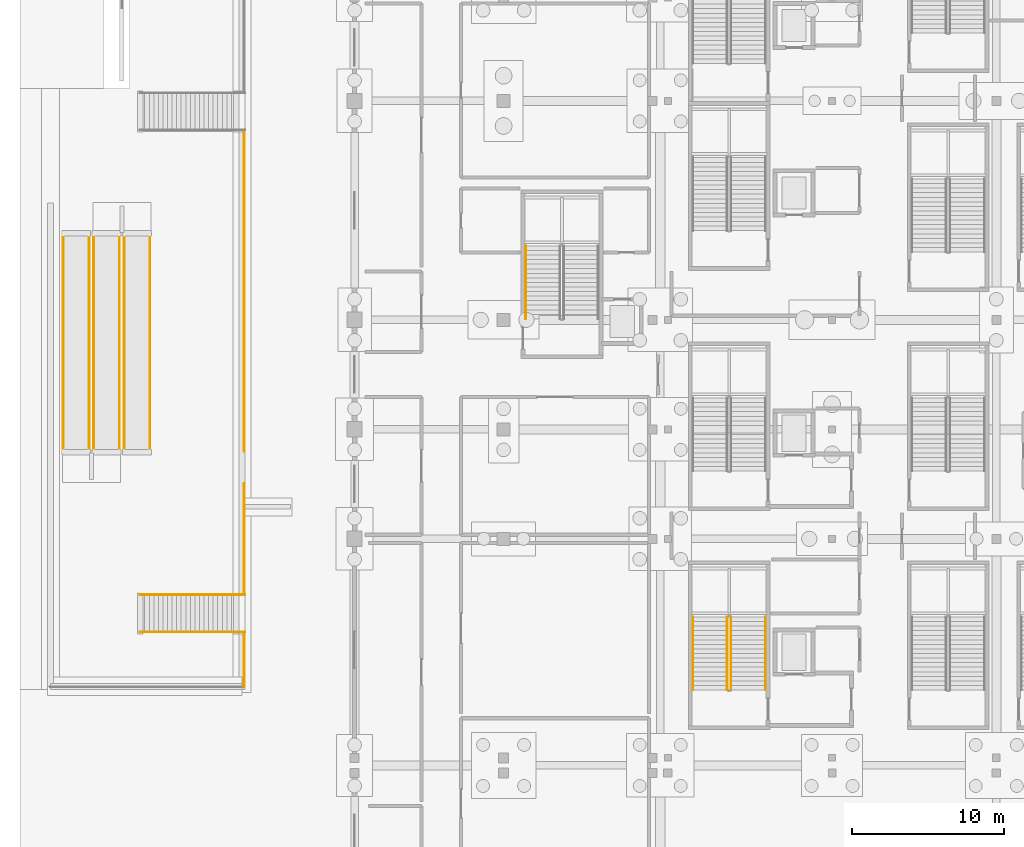
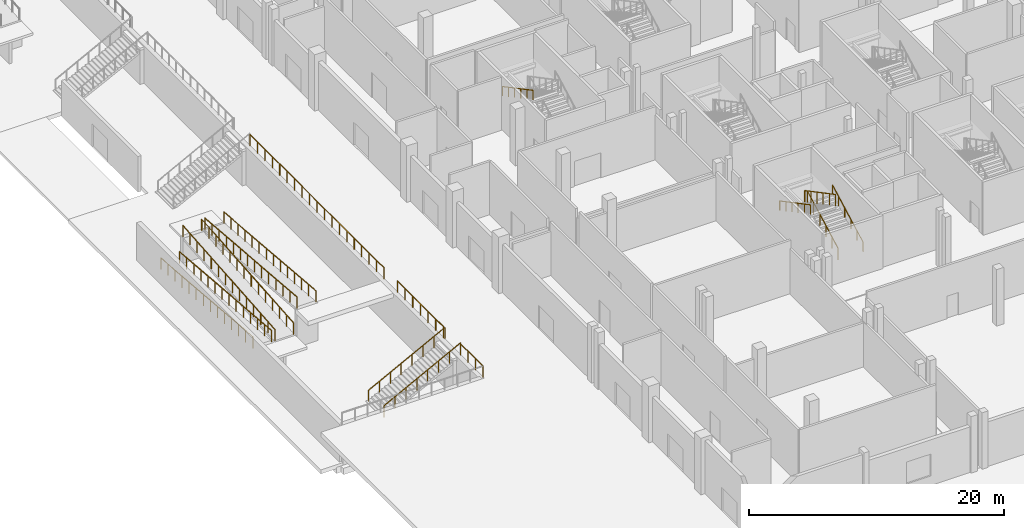
# One storey, part 58 of 89: 16 railings.
"""IFC4 building model written with IfcOpenShell, lengths in metres."""

from ifc_helpers import new_model, si_unit, direction, frame, origin, origin_2d, place, context, subcontext, project, spatial, circle, extrude, material, type_object, element, save


model = new_model("IFC4")

# Units and contexts
model_context = context("Model", 3, precision=1e-05, world=origin(), true_north=direction((0.0, 1.0)))
body_context = subcontext(model_context, "Body", "Model", "MODEL_VIEW")
ifc_project = project(units=[si_unit("LENGTHUNIT", "METRE"), si_unit("AREAUNIT", "SQUARE_METRE"), si_unit("VOLUMEUNIT", "CUBIC_METRE"), si_unit("PLANEANGLEUNIT", "RADIAN"), si_unit("MASSUNIT", "GRAM", prefix="KILO")], contexts=[model_context])

# Site, building, storey
site_placement = place(None, origin())
site = spatial("IfcSite", under=ifc_project, at=site_placement, CompositionType="ELEMENT")
building_placement = place(site_placement, origin())
building = spatial("IfcBuilding", under=site, at=building_placement, Name="Koshinbarg Plaza Stadium", CompositionType="ELEMENT")
storey_placement = place(building_placement, origin())
storey = spatial("IfcBuildingStorey", under=building, at=storey_placement, Name="L00", CompositionType="ELEMENT", Elevation=0.0)

# Railings
ifc_material_1 = material(Name="Galvanized painted steel guardrail", Category="steel")
railing_type_1 = type_object("IfcRailingType", Name="RL-GUARD-1100", PredefinedType="GUARDRAIL", material=ifc_material_1)
railing_1_placement = place(storey_placement, frame((-15.14990234375, 60.0, -3.60009765625)))
element("IfcRailing", 1, at=railing_1_placement, inside=storey, type_object=railing_type_1, Name="RMP-FC-S1 west guardrail", PredefinedType="GUARDRAIL", context=body_context, shape_type="SweptSolid", body=[
    extrude(circle(Radius=0.02392578125, at=origin_2d()), frame((0.0, 0.0, 1.076171875), z_axis=(0.0, -0.996544592923, 0.083059462528), x_axis=(1.0, 0.0, 0.0)), (0.0, 0.0, 1.0), 14.449951171875),
    extrude(circle(Radius=0.02099609375, at=origin_2d()), origin(), (0.0, 0.0, 1.0), 1.052001953125),
    extrude(circle(Radius=0.02099609375, at=origin_2d()), frame((0.0, -1.107666015625, 0.09228515625)), (0.0, 0.0, 1.0), 1.052001953125),
    extrude(circle(Radius=0.02099609375, at=origin_2d()), frame((0.0, -2.21533203125, 0.1845703125)), (0.0, 0.0, 1.0), 1.052001953125),
    extrude(circle(Radius=0.02099609375, at=origin_2d()), frame((0.0, -3.322998046875, 0.27685546875)), (0.0, 0.0, 1.0), 1.052001953125),
    extrude(circle(Radius=0.02099609375, at=origin_2d()), frame((0.0, -4.4306640625, 0.369384765625)), (0.0, 0.0, 1.0), 1.052001953125),
    extrude(circle(Radius=0.02099609375, at=origin_2d()), frame((0.0, -5.538330078125, 0.461669921875)), (0.0, 0.0, 1.0), 1.052001953125),
    extrude(circle(Radius=0.02099609375, at=origin_2d()), frame((0.0, -6.64599609375, 0.553955078125)), (0.0, 0.0, 1.0), 1.052001953125),
    extrude(circle(Radius=0.02099609375, at=origin_2d()), frame((0.0, -7.75390625, 0.646240234375)), (0.0, 0.0, 1.0), 1.052001953125),
    extrude(circle(Radius=0.02099609375, at=origin_2d()), frame((0.0, -8.861572265625, 0.738525390625)), (0.0, 0.0, 1.0), 1.052001953125),
    extrude(circle(Radius=0.02099609375, at=origin_2d()), frame((0.0, -9.96923828125, 0.830810546875)), (0.0, 0.0, 1.0), 1.052001953125),
    extrude(circle(Radius=0.02099609375, at=origin_2d()), frame((0.0, -11.076904296875, 0.92333984375)), (0.0, 0.0, 1.0), 1.052001953125),
    extrude(circle(Radius=0.02099609375, at=origin_2d()), frame((0.0, -12.1845703125, 1.015625)), (0.0, 0.0, 1.0), 1.052001953125),
    extrude(circle(Radius=0.02099609375, at=origin_2d()), frame((0.0, -13.292236328125, 1.10791015625)), (0.0, 0.0, 1.0), 1.052001953125),
    extrude(circle(Radius=0.02099609375, at=origin_2d()), frame((0.0, -14.39990234375, 1.2001953125)), (0.0, 0.0, 1.0), 1.052001953125),
])
railing_2_placement = place(storey_placement, frame((-13.449951171875, 60.0, -3.60009765625)))
element("IfcRailing", 2, at=railing_2_placement, inside=storey, type_object=railing_type_1, Name="RMP-FC-S1 east guardrail", PredefinedType="GUARDRAIL", context=body_context, shape_type="SweptSolid", body=[
    extrude(circle(Radius=0.02392578125, at=origin_2d()), frame((0.0, 0.0, 1.076171875), z_axis=(0.0, -0.996544592923, 0.083059462528), x_axis=(1.0, 0.0, 0.0)), (0.0, 0.0, 1.0), 14.449951171875),
    extrude(circle(Radius=0.02099609375, at=origin_2d()), origin(), (0.0, 0.0, 1.0), 1.052001953125),
    extrude(circle(Radius=0.02099609375, at=origin_2d()), frame((0.0, -1.107666015625, 0.09228515625)), (0.0, 0.0, 1.0), 1.052001953125),
    extrude(circle(Radius=0.02099609375, at=origin_2d()), frame((0.0, -2.21533203125, 0.1845703125)), (0.0, 0.0, 1.0), 1.052001953125),
    extrude(circle(Radius=0.02099609375, at=origin_2d()), frame((0.0, -3.322998046875, 0.27685546875)), (0.0, 0.0, 1.0), 1.052001953125),
    extrude(circle(Radius=0.02099609375, at=origin_2d()), frame((0.0, -4.4306640625, 0.369384765625)), (0.0, 0.0, 1.0), 1.052001953125),
    extrude(circle(Radius=0.02099609375, at=origin_2d()), frame((0.0, -5.538330078125, 0.461669921875)), (0.0, 0.0, 1.0), 1.052001953125),
    extrude(circle(Radius=0.02099609375, at=origin_2d()), frame((0.0, -6.64599609375, 0.553955078125)), (0.0, 0.0, 1.0), 1.052001953125),
    extrude(circle(Radius=0.02099609375, at=origin_2d()), frame((0.0, -7.75390625, 0.646240234375)), (0.0, 0.0, 1.0), 1.052001953125),
    extrude(circle(Radius=0.02099609375, at=origin_2d()), frame((0.0, -8.861572265625, 0.738525390625)), (0.0, 0.0, 1.0), 1.052001953125),
    extrude(circle(Radius=0.02099609375, at=origin_2d()), frame((0.0, -9.96923828125, 0.830810546875)), (0.0, 0.0, 1.0), 1.052001953125),
    extrude(circle(Radius=0.02099609375, at=origin_2d()), frame((0.0, -11.076904296875, 0.92333984375)), (0.0, 0.0, 1.0), 1.052001953125),
    extrude(circle(Radius=0.02099609375, at=origin_2d()), frame((0.0, -12.1845703125, 1.015625)), (0.0, 0.0, 1.0), 1.052001953125),
    extrude(circle(Radius=0.02099609375, at=origin_2d()), frame((0.0, -13.292236328125, 1.10791015625)), (0.0, 0.0, 1.0), 1.052001953125),
    extrude(circle(Radius=0.02099609375, at=origin_2d()), frame((0.0, -14.39990234375, 1.2001953125)), (0.0, 0.0, 1.0), 1.052001953125),
])
railing_3_placement = place(storey_placement, frame((-13.14990234375, 45.60009765625, -2.39990234375)))
element("IfcRailing", 3, at=railing_3_placement, inside=storey, type_object=railing_type_1, Name="RMP-FC-S2 west guardrail", PredefinedType="GUARDRAIL", context=body_context, shape_type="SweptSolid", body=[
    extrude(circle(Radius=0.02392578125, at=origin_2d()), frame((0.0, 0.0, 1.076171875), z_axis=(0.0, 0.996545991286, 0.083042683313), x_axis=(-1.0, 0.0, 0.0)), (0.0, 0.0, 1.0), 14.44970703125),
    extrude(circle(Radius=0.02099609375, at=origin_2d()), origin(), (0.0, 0.0, 1.0), 1.052001953125),
    extrude(circle(Radius=0.02099609375, at=origin_2d()), frame((0.0, 1.107666015625, 0.09228515625)), (0.0, 0.0, 1.0), 1.052001953125),
    extrude(circle(Radius=0.02099609375, at=origin_2d()), frame((0.0, 2.21533203125, 0.1845703125)), (0.0, 0.0, 1.0), 1.052001953125),
    extrude(circle(Radius=0.02099609375, at=origin_2d()), frame((0.0, 3.322998046875, 0.27685546875)), (0.0, 0.0, 1.0), 1.052001953125),
    extrude(circle(Radius=0.02099609375, at=origin_2d()), frame((0.0, 4.4306640625, 0.369140625)), (0.0, 0.0, 1.0), 1.052001953125),
    extrude(circle(Radius=0.02099609375, at=origin_2d()), frame((0.0, 5.538330078125, 0.46142578125)), (0.0, 0.0, 1.0), 1.052001953125),
    extrude(circle(Radius=0.02099609375, at=origin_2d()), frame((0.0, 6.64599609375, 0.5537109375)), (0.0, 0.0, 1.0), 1.052001953125),
    extrude(circle(Radius=0.02099609375, at=origin_2d()), frame((0.0, 7.75390625, 0.646240234375)), (0.0, 0.0, 1.0), 1.052001953125),
    extrude(circle(Radius=0.02099609375, at=origin_2d()), frame((0.0, 8.861572265625, 0.738525390625)), (0.0, 0.0, 1.0), 1.052001953125),
    extrude(circle(Radius=0.02099609375, at=origin_2d()), frame((0.0, 9.96923828125, 0.830810546875)), (0.0, 0.0, 1.0), 1.052001953125),
    extrude(circle(Radius=0.02099609375, at=origin_2d()), frame((0.0, 11.076904296875, 0.923095703125)), (0.0, 0.0, 1.0), 1.052001953125),
    extrude(circle(Radius=0.02099609375, at=origin_2d()), frame((0.0, 12.1845703125, 1.015380859375)), (0.0, 0.0, 1.0), 1.052001953125),
    extrude(circle(Radius=0.02099609375, at=origin_2d()), frame((0.0, 13.292236328125, 1.107666015625)), (0.0, 0.0, 1.0), 1.052001953125),
    extrude(circle(Radius=0.02099609375, at=origin_2d()), frame((0.0, 14.39990234375, 1.199951171875)), (0.0, 0.0, 1.0), 1.052001953125),
])
railing_4_placement = place(storey_placement, frame((-11.449951171875, 45.60009765625, -2.39990234375)))
element("IfcRailing", 4, at=railing_4_placement, inside=storey, type_object=railing_type_1, Name="RMP-FC-S2 east guardrail", PredefinedType="GUARDRAIL", context=body_context, shape_type="SweptSolid", body=[
    extrude(circle(Radius=0.02392578125, at=origin_2d()), frame((0.0, 0.0, 1.076171875), z_axis=(0.0, 0.996545991286, 0.083042683313), x_axis=(-1.0, 0.0, 0.0)), (0.0, 0.0, 1.0), 14.44970703125),
    extrude(circle(Radius=0.02099609375, at=origin_2d()), origin(), (0.0, 0.0, 1.0), 1.052001953125),
    extrude(circle(Radius=0.02099609375, at=origin_2d()), frame((0.0, 1.107666015625, 0.09228515625)), (0.0, 0.0, 1.0), 1.052001953125),
    extrude(circle(Radius=0.02099609375, at=origin_2d()), frame((0.0, 2.21533203125, 0.1845703125)), (0.0, 0.0, 1.0), 1.052001953125),
    extrude(circle(Radius=0.02099609375, at=origin_2d()), frame((0.0, 3.322998046875, 0.27685546875)), (0.0, 0.0, 1.0), 1.052001953125),
    extrude(circle(Radius=0.02099609375, at=origin_2d()), frame((0.0, 4.4306640625, 0.369140625)), (0.0, 0.0, 1.0), 1.052001953125),
    extrude(circle(Radius=0.02099609375, at=origin_2d()), frame((0.0, 5.538330078125, 0.46142578125)), (0.0, 0.0, 1.0), 1.052001953125),
    extrude(circle(Radius=0.02099609375, at=origin_2d()), frame((0.0, 6.64599609375, 0.5537109375)), (0.0, 0.0, 1.0), 1.052001953125),
    extrude(circle(Radius=0.02099609375, at=origin_2d()), frame((0.0, 7.75390625, 0.646240234375)), (0.0, 0.0, 1.0), 1.052001953125),
    extrude(circle(Radius=0.02099609375, at=origin_2d()), frame((0.0, 8.861572265625, 0.738525390625)), (0.0, 0.0, 1.0), 1.052001953125),
    extrude(circle(Radius=0.02099609375, at=origin_2d()), frame((0.0, 9.96923828125, 0.830810546875)), (0.0, 0.0, 1.0), 1.052001953125),
    extrude(circle(Radius=0.02099609375, at=origin_2d()), frame((0.0, 11.076904296875, 0.923095703125)), (0.0, 0.0, 1.0), 1.052001953125),
    extrude(circle(Radius=0.02099609375, at=origin_2d()), frame((0.0, 12.1845703125, 1.015380859375)), (0.0, 0.0, 1.0), 1.052001953125),
    extrude(circle(Radius=0.02099609375, at=origin_2d()), frame((0.0, 13.292236328125, 1.107666015625)), (0.0, 0.0, 1.0), 1.052001953125),
    extrude(circle(Radius=0.02099609375, at=origin_2d()), frame((0.0, 14.39990234375, 1.199951171875)), (0.0, 0.0, 1.0), 1.052001953125),
])
railing_5_placement = place(storey_placement, frame((-11.14990234375, 60.0, -1.199951171875)))
element("IfcRailing", 5, at=railing_5_placement, inside=storey, type_object=railing_type_1, Name="RMP-FC-S3 west guardrail", PredefinedType="GUARDRAIL", context=body_context, shape_type="SweptSolid", body=[
    extrude(circle(Radius=0.02392578125, at=origin_2d()), frame((0.0, 0.0, 1.076171875), z_axis=(0.0, -0.996545991286, 0.083042683313), x_axis=(1.0, 0.0, 0.0)), (0.0, 0.0, 1.0), 14.44970703125),
    extrude(circle(Radius=0.02099609375, at=origin_2d()), origin(), (0.0, 0.0, 1.0), 1.052001953125),
    extrude(circle(Radius=0.02099609375, at=origin_2d()), frame((0.0, -1.107666015625, 0.09228515625)), (0.0, 0.0, 1.0), 1.052001953125),
    extrude(circle(Radius=0.02099609375, at=origin_2d()), frame((0.0, -2.21533203125, 0.1845703125)), (0.0, 0.0, 1.0), 1.052001953125),
    extrude(circle(Radius=0.02099609375, at=origin_2d()), frame((0.0, -3.322998046875, 0.27685546875)), (0.0, 0.0, 1.0), 1.052001953125),
    extrude(circle(Radius=0.02099609375, at=origin_2d()), frame((0.0, -4.4306640625, 0.369140625)), (0.0, 0.0, 1.0), 1.052001953125),
    extrude(circle(Radius=0.02099609375, at=origin_2d()), frame((0.0, -5.538330078125, 0.46142578125)), (0.0, 0.0, 1.0), 1.052001953125),
    extrude(circle(Radius=0.02099609375, at=origin_2d()), frame((0.0, -6.64599609375, 0.5537109375)), (0.0, 0.0, 1.0), 1.052001953125),
    extrude(circle(Radius=0.02099609375, at=origin_2d()), frame((0.0, -7.75390625, 0.646240234375)), (0.0, 0.0, 1.0), 1.052001953125),
    extrude(circle(Radius=0.02099609375, at=origin_2d()), frame((0.0, -8.861572265625, 0.738525390625)), (0.0, 0.0, 1.0), 1.052001953125),
    extrude(circle(Radius=0.02099609375, at=origin_2d()), frame((0.0, -9.96923828125, 0.830810546875)), (0.0, 0.0, 1.0), 1.052001953125),
    extrude(circle(Radius=0.02099609375, at=origin_2d()), frame((0.0, -11.076904296875, 0.923095703125)), (0.0, 0.0, 1.0), 1.052001953125),
    extrude(circle(Radius=0.02099609375, at=origin_2d()), frame((0.0, -12.1845703125, 1.015380859375)), (0.0, 0.0, 1.0), 1.052001953125),
    extrude(circle(Radius=0.02099609375, at=origin_2d()), frame((0.0, -13.292236328125, 1.107666015625)), (0.0, 0.0, 1.0), 1.052001953125),
    extrude(circle(Radius=0.02099609375, at=origin_2d()), frame((0.0, -14.39990234375, 1.199951171875)), (0.0, 0.0, 1.0), 1.052001953125),
])
railing_6_placement = place(storey_placement, frame((-9.449951171875, 60.0, -1.199951171875)))
element("IfcRailing", 6, at=railing_6_placement, inside=storey, type_object=railing_type_1, Name="RMP-FC-S3 east guardrail", PredefinedType="GUARDRAIL", context=body_context, shape_type="SweptSolid", body=[
    extrude(circle(Radius=0.02392578125, at=origin_2d()), frame((0.0, 0.0, 1.076171875), z_axis=(0.0, -0.996545991286, 0.083042683313), x_axis=(1.0, 0.0, 0.0)), (0.0, 0.0, 1.0), 14.44970703125),
    extrude(circle(Radius=0.02099609375, at=origin_2d()), origin(), (0.0, 0.0, 1.0), 1.052001953125),
    extrude(circle(Radius=0.02099609375, at=origin_2d()), frame((0.0, -1.107666015625, 0.09228515625)), (0.0, 0.0, 1.0), 1.052001953125),
    extrude(circle(Radius=0.02099609375, at=origin_2d()), frame((0.0, -2.21533203125, 0.1845703125)), (0.0, 0.0, 1.0), 1.052001953125),
    extrude(circle(Radius=0.02099609375, at=origin_2d()), frame((0.0, -3.322998046875, 0.27685546875)), (0.0, 0.0, 1.0), 1.052001953125),
    extrude(circle(Radius=0.02099609375, at=origin_2d()), frame((0.0, -4.4306640625, 0.369140625)), (0.0, 0.0, 1.0), 1.052001953125),
    extrude(circle(Radius=0.02099609375, at=origin_2d()), frame((0.0, -5.538330078125, 0.46142578125)), (0.0, 0.0, 1.0), 1.052001953125),
    extrude(circle(Radius=0.02099609375, at=origin_2d()), frame((0.0, -6.64599609375, 0.5537109375)), (0.0, 0.0, 1.0), 1.052001953125),
    extrude(circle(Radius=0.02099609375, at=origin_2d()), frame((0.0, -7.75390625, 0.646240234375)), (0.0, 0.0, 1.0), 1.052001953125),
    extrude(circle(Radius=0.02099609375, at=origin_2d()), frame((0.0, -8.861572265625, 0.738525390625)), (0.0, 0.0, 1.0), 1.052001953125),
    extrude(circle(Radius=0.02099609375, at=origin_2d()), frame((0.0, -9.96923828125, 0.830810546875)), (0.0, 0.0, 1.0), 1.052001953125),
    extrude(circle(Radius=0.02099609375, at=origin_2d()), frame((0.0, -11.076904296875, 0.923095703125)), (0.0, 0.0, 1.0), 1.052001953125),
    extrude(circle(Radius=0.02099609375, at=origin_2d()), frame((0.0, -12.1845703125, 1.015380859375)), (0.0, 0.0, 1.0), 1.052001953125),
    extrude(circle(Radius=0.02099609375, at=origin_2d()), frame((0.0, -13.292236328125, 1.107666015625)), (0.0, 0.0, 1.0), 1.052001953125),
    extrude(circle(Radius=0.02099609375, at=origin_2d()), frame((0.0, -14.39990234375, 1.199951171875)), (0.0, 0.0, 1.0), 1.052001953125),
])
for number, where, name in (
    (7, (-10.10009765625, 33.780029296875, -3.60009765625), "ST-FC-01 ceremonial stair guard S"),
    (8, (-10.10009765625, 36.219970703125, -3.60009765625), "ST-FC-01 ceremonial stair guard N"),
):
    element("IfcRailing", number, at=place(storey_placement, frame(where)), inside=storey, type_object=railing_type_1, Name=name, PredefinedType="GUARDRAIL", context=body_context, shape_type="SweptSolid", body=[
        extrude(circle(Radius=0.02392578125, at=origin_2d()), frame((0.0, 0.0, 1.076171875), z_axis=(0.886583727504, 0.0, 0.46256815079), x_axis=(0.0, 1.0, 0.0)), (0.0, 0.0, 1.0), 7.782958984375),
        extrude(circle(Radius=0.02099609375, at=origin_2d()), origin(), (0.0, 0.0, 1.0), 1.052001953125),
        extrude(circle(Radius=0.02099609375, at=origin_2d()), frame((0.98583984375, 0.0, 0.514404296875)), (0.0, 0.0, 1.0), 1.052001953125),
        extrude(circle(Radius=0.02099609375, at=origin_2d()), frame((1.971435546875, 0.0, 1.028564453125)), (0.0, 0.0, 1.0), 1.052001953125),
        extrude(circle(Radius=0.02099609375, at=origin_2d()), frame((2.957275390625, 0.0, 1.54296875)), (0.0, 0.0, 1.0), 1.052001953125),
        extrude(circle(Radius=0.02099609375, at=origin_2d()), frame((3.94287109375, 0.0, 2.05712890625)), (0.0, 0.0, 1.0), 1.052001953125),
        extrude(circle(Radius=0.02099609375, at=origin_2d()), frame((4.9287109375, 0.0, 2.571533203125)), (0.0, 0.0, 1.0), 1.052001953125),
        extrude(circle(Radius=0.02099609375, at=origin_2d()), frame((5.914306640625, 0.0, 3.085693359375)), (0.0, 0.0, 1.0), 1.052001953125),
        extrude(circle(Radius=0.02099609375, at=origin_2d()), frame((6.900146484375, 0.0, 3.60009765625)), (0.0, 0.0, 1.0), 1.052001953125),
    ])
railing_7_placement = place(storey_placement, frame((-3.25, 30.14990234375, 0.0)))
element("IfcRailing", 9, at=railing_7_placement, inside=storey, type_object=railing_type_1, Name="Sunken metro forecourt rim guard 2", PredefinedType="GUARDRAIL", context=body_context, shape_type="SweptSolid", body=[
    extrude(circle(Radius=0.02392578125, at=origin_2d()), frame((0.0, 0.0, 1.076171875), z_axis=(0.0, 1.0, 0.0), x_axis=(-1.0, 0.0, 0.0)), (0.0, 0.0, 1.0), 3.5),
    extrude(circle(Radius=0.02099609375, at=origin_2d()), origin(), (0.0, 0.0, 1.0), 1.052001953125),
    extrude(circle(Radius=0.02099609375, at=origin_2d()), frame((0.0, 1.166748046875, 0.0)), (0.0, 0.0, 1.0), 1.052001953125),
    extrude(circle(Radius=0.02099609375, at=origin_2d()), frame((0.0, 2.333251953125, 0.0)), (0.0, 0.0, 1.0), 1.052001953125),
    extrude(circle(Radius=0.02099609375, at=origin_2d()), frame((0.0, 3.5, 0.0)), (0.0, 0.0, 1.0), 1.052001953125),
])
railing_8_placement = place(storey_placement, frame((-3.25, 36.35009765625, 0.0)))
element("IfcRailing", 10, at=railing_8_placement, inside=storey, type_object=railing_type_1, Name="Sunken metro forecourt rim guard 3", PredefinedType="GUARDRAIL", context=body_context, shape_type="SweptSolid", body=[
    extrude(circle(Radius=0.02392578125, at=origin_2d()), frame((0.0, 0.0, 1.076171875), z_axis=(0.0, 1.0, 0.0), x_axis=(-1.0, 0.0, 0.0)), (0.0, 0.0, 1.0), 7.199951171875),
    extrude(circle(Radius=0.02099609375, at=origin_2d()), origin(), (0.0, 0.0, 1.0), 1.052001953125),
    extrude(circle(Radius=0.02099609375, at=origin_2d()), frame((0.0, 1.199951171875, 0.0)), (0.0, 0.0, 1.0), 1.052001953125),
    extrude(circle(Radius=0.02099609375, at=origin_2d()), frame((0.0, 2.39990234375, 0.0)), (0.0, 0.0, 1.0), 1.052001953125),
    extrude(circle(Radius=0.02099609375, at=origin_2d()), frame((0.0, 3.60009765625, 0.0)), (0.0, 0.0, 1.0), 1.052001953125),
    extrude(circle(Radius=0.02099609375, at=origin_2d()), frame((0.0, 4.800048828125, 0.0)), (0.0, 0.0, 1.0), 1.052001953125),
    extrude(circle(Radius=0.02099609375, at=origin_2d()), frame((0.0, 6.0, 0.0)), (0.0, 0.0, 1.0), 1.052001953125),
    extrude(circle(Radius=0.02099609375, at=origin_2d()), frame((0.0, 7.199951171875, 0.0)), (0.0, 0.0, 1.0), 1.052001953125),
])
railing_9_placement = place(storey_placement, frame((-3.25, 45.64990234375, 0.0)))
element("IfcRailing", 11, at=railing_9_placement, inside=storey, type_object=railing_type_1, Name="Sunken metro forecourt rim guard 4", PredefinedType="GUARDRAIL", context=body_context, shape_type="SweptSolid", body=[
    extrude(circle(Radius=0.02392578125, at=origin_2d()), frame((0.0, 0.0, 1.076171875), z_axis=(0.0, 1.0, 0.0), x_axis=(-1.0, 0.0, 0.0)), (0.0, 0.0, 1.0), 21.0),
    extrude(circle(Radius=0.02099609375, at=origin_2d()), origin(), (0.0, 0.0, 1.0), 1.052001953125),
    extrude(circle(Radius=0.02099609375, at=origin_2d()), frame((0.0, 1.166748046875, 0.0)), (0.0, 0.0, 1.0), 1.052001953125),
    extrude(circle(Radius=0.02099609375, at=origin_2d()), frame((0.0, 2.333251953125, 0.0)), (0.0, 0.0, 1.0), 1.052001953125),
    extrude(circle(Radius=0.02099609375, at=origin_2d()), frame((0.0, 3.5, 0.0)), (0.0, 0.0, 1.0), 1.052001953125),
    extrude(circle(Radius=0.02099609375, at=origin_2d()), frame((0.0, 4.666748046875, 0.0)), (0.0, 0.0, 1.0), 1.052001953125),
    extrude(circle(Radius=0.02099609375, at=origin_2d()), frame((0.0, 5.833251953125, 0.0)), (0.0, 0.0, 1.0), 1.052001953125),
    extrude(circle(Radius=0.02099609375, at=origin_2d()), frame((0.0, 7.0, 0.0)), (0.0, 0.0, 1.0), 1.052001953125),
    extrude(circle(Radius=0.02099609375, at=origin_2d()), frame((0.0, 8.166748046875, 0.0)), (0.0, 0.0, 1.0), 1.052001953125),
    extrude(circle(Radius=0.02099609375, at=origin_2d()), frame((0.0, 9.333251953125, 0.0)), (0.0, 0.0, 1.0), 1.052001953125),
    extrude(circle(Radius=0.02099609375, at=origin_2d()), frame((0.0, 10.5, 0.0)), (0.0, 0.0, 1.0), 1.052001953125),
    extrude(circle(Radius=0.02099609375, at=origin_2d()), frame((0.0, 11.666748046875, 0.0)), (0.0, 0.0, 1.0), 1.052001953125),
    extrude(circle(Radius=0.02099609375, at=origin_2d()), frame((0.0, 12.833251953125, 0.0)), (0.0, 0.0, 1.0), 1.052001953125),
    extrude(circle(Radius=0.02099609375, at=origin_2d()), frame((0.0, 14.0, 0.0)), (0.0, 0.0, 1.0), 1.052001953125),
    extrude(circle(Radius=0.02099609375, at=origin_2d()), frame((0.0, 15.166748046875, 0.0)), (0.0, 0.0, 1.0), 1.052001953125),
    extrude(circle(Radius=0.02099609375, at=origin_2d()), frame((0.0, 16.333251953125, 0.0)), (0.0, 0.0, 1.0), 1.052001953125),
    extrude(circle(Radius=0.02099609375, at=origin_2d()), frame((0.0, 17.5, 0.0)), (0.0, 0.0, 1.0), 1.052001953125),
    extrude(circle(Radius=0.02099609375, at=origin_2d()), frame((0.0, 18.666748046875, 0.0)), (0.0, 0.0, 1.0), 1.052001953125),
    extrude(circle(Radius=0.02099609375, at=origin_2d()), frame((0.0, 19.833251953125, 0.0)), (0.0, 0.0, 1.0), 1.052001953125),
    extrude(circle(Radius=0.02099609375, at=origin_2d()), frame((0.0, 21.0, 0.0)), (0.0, 0.0, 1.0), 1.052001953125),
])
railing_10_placement = place(storey_placement, frame((28.760009765625, 29.9599609375, 0.158935546875)))
element("IfcRailing", 12, at=railing_10_placement, inside=storey, type_object=railing_type_1, Name="L00 C01 stair guard 1", PredefinedType="GUARDRAIL", context=body_context, shape_type="SweptSolid", body=[
    extrude(circle(Radius=0.02392578125, at=origin_2d()), frame((0.0, 0.0, 1.076171875), z_axis=(0.0, 0.883802130504, 0.467860870469), x_axis=(-1.0, 0.0, 0.0)), (0.0, 0.0, 1.0), 5.43115234375),
    extrude(circle(Radius=0.02099609375, at=origin_2d()), origin(), (0.0, 0.0, 1.0), 1.052001953125),
    extrude(circle(Radius=0.02099609375, at=origin_2d()), frame((0.0, 0.9599609375, 0.50830078125)), (0.0, 0.0, 1.0), 1.052001953125),
    extrude(circle(Radius=0.02099609375, at=origin_2d()), frame((0.0, 1.919921875, 1.016357421875)), (0.0, 0.0, 1.0), 1.052001953125),
    extrude(circle(Radius=0.02099609375, at=origin_2d()), frame((0.0, 2.880126953125, 1.524658203125)), (0.0, 0.0, 1.0), 1.052001953125),
    extrude(circle(Radius=0.02099609375, at=origin_2d()), frame((0.0, 3.840087890625, 2.03271484375)), (0.0, 0.0, 1.0), 1.052001953125),
    extrude(circle(Radius=0.02099609375, at=origin_2d()), frame((0.0, 4.800048828125, 2.541015625)), (0.0, 0.0, 1.0), 1.052001953125),
])
railing_11_placement = place(storey_placement, frame((28.510009765625, 34.760009765625, 2.85888671875)))
element("IfcRailing", 13, at=railing_11_placement, inside=storey, type_object=railing_type_1, Name="L00 C01 stair guard 3", PredefinedType="GUARDRAIL", context=body_context, shape_type="SweptSolid", body=[
    extrude(circle(Radius=0.02392578125, at=origin_2d()), frame((0.0, 0.0, 1.076171875), z_axis=(0.0, -0.883802130504, 0.467860870469), x_axis=(1.0, 0.0, 0.0)), (0.0, 0.0, 1.0), 5.43115234375),
    extrude(circle(Radius=0.02099609375, at=origin_2d()), origin(), (0.0, 0.0, 1.0), 1.052001953125),
    extrude(circle(Radius=0.02099609375, at=origin_2d()), frame((0.0, -0.9599609375, 0.50830078125)), (0.0, 0.0, 1.0), 1.052001953125),
    extrude(circle(Radius=0.02099609375, at=origin_2d()), frame((0.0, -1.919921875, 1.016357421875)), (0.0, 0.0, 1.0), 1.052001953125),
    extrude(circle(Radius=0.02099609375, at=origin_2d()), frame((0.0, -2.880126953125, 1.524658203125)), (0.0, 0.0, 1.0), 1.052001953125),
    extrude(circle(Radius=0.02099609375, at=origin_2d()), frame((0.0, -3.840087890625, 2.03271484375)), (0.0, 0.0, 1.0), 1.052001953125),
    extrude(circle(Radius=0.02099609375, at=origin_2d()), frame((0.0, -4.800048828125, 2.541015625)), (0.0, 0.0, 1.0), 1.052001953125),
])
ifc_material_2 = material(Name="Brushed stainless steel handrail", Category="steel")
railing_type_2 = type_object("IfcRailingType", Name="RL-HAND-900", PredefinedType="HANDRAIL", material=ifc_material_2)
railing_12_placement = place(storey_placement, frame((31.02001953125, 29.9599609375, 0.158935546875)))
element("IfcRailing", 14, at=railing_12_placement, inside=storey, type_object=railing_type_2, Name="L00 C01 stair handrail 1", PredefinedType="HANDRAIL", context=body_context, shape_type="SweptSolid", body=[
    extrude(circle(Radius=0.02392578125, at=origin_2d()), frame((0.0, 0.0, 0.8759765625), z_axis=(0.0, 0.883802130504, 0.467860870469), x_axis=(-1.0, 0.0, 0.0)), (0.0, 0.0, 1.0), 5.43115234375),
    extrude(circle(Radius=0.02099609375, at=origin_2d()), origin(), (0.0, 0.0, 1.0), 0.851806640625),
    extrude(circle(Radius=0.02099609375, at=origin_2d()), frame((0.0, 0.9599609375, 0.50830078125)), (0.0, 0.0, 1.0), 0.851806640625),
    extrude(circle(Radius=0.02099609375, at=origin_2d()), frame((0.0, 1.919921875, 1.016357421875)), (0.0, 0.0, 1.0), 0.851806640625),
    extrude(circle(Radius=0.02099609375, at=origin_2d()), frame((0.0, 2.880126953125, 1.524658203125)), (0.0, 0.0, 1.0), 0.851806640625),
    extrude(circle(Radius=0.02099609375, at=origin_2d()), frame((0.0, 3.840087890625, 2.03271484375)), (0.0, 0.0, 1.0), 0.851806640625),
    extrude(circle(Radius=0.02099609375, at=origin_2d()), frame((0.0, 4.800048828125, 2.541015625)), (0.0, 0.0, 1.0), 0.851806640625),
])
railing_13_placement = place(storey_placement, frame((26.25, 34.760009765625, 2.85888671875)))
element("IfcRailing", 15, at=railing_13_placement, inside=storey, type_object=railing_type_2, Name="L00 C01 stair handrail 2", PredefinedType="HANDRAIL", context=body_context, shape_type="SweptSolid", body=[
    extrude(circle(Radius=0.02392578125, at=origin_2d()), frame((0.0, 0.0, 0.8759765625), z_axis=(0.0, -0.883802130504, 0.467860870469), x_axis=(1.0, 0.0, 0.0)), (0.0, 0.0, 1.0), 5.43115234375),
    extrude(circle(Radius=0.02099609375, at=origin_2d()), origin(), (0.0, 0.0, 1.0), 0.851806640625),
    extrude(circle(Radius=0.02099609375, at=origin_2d()), frame((0.0, -0.9599609375, 0.50830078125)), (0.0, 0.0, 1.0), 0.851806640625),
    extrude(circle(Radius=0.02099609375, at=origin_2d()), frame((0.0, -1.919921875, 1.016357421875)), (0.0, 0.0, 1.0), 0.851806640625),
    extrude(circle(Radius=0.02099609375, at=origin_2d()), frame((0.0, -2.880126953125, 1.524658203125)), (0.0, 0.0, 1.0), 0.851806640625),
    extrude(circle(Radius=0.02099609375, at=origin_2d()), frame((0.0, -3.840087890625, 2.03271484375)), (0.0, 0.0, 1.0), 0.851806640625),
    extrude(circle(Radius=0.02099609375, at=origin_2d()), frame((0.0, -4.800048828125, 2.541015625)), (0.0, 0.0, 1.0), 0.851806640625),
])
railing_14_placement = place(storey_placement, frame((15.25, 59.159912109375, 2.85888671875)))
element("IfcRailing", 16, at=railing_14_placement, inside=storey, type_object=railing_type_2, Name="L00 C16 stair handrail 2", PredefinedType="HANDRAIL", context=body_context, shape_type="SweptSolid", body=[
    extrude(circle(Radius=0.02392578125, at=origin_2d()), frame((0.0, 0.0, 0.8759765625), z_axis=(0.0, -0.883792290195, 0.467879458614), x_axis=(1.0, 0.0, 0.0)), (0.0, 0.0, 1.0), 5.430908203125),
    extrude(circle(Radius=0.02099609375, at=origin_2d()), origin(), (0.0, 0.0, 1.0), 0.851806640625),
    extrude(circle(Radius=0.02099609375, at=origin_2d()), frame((0.0, -0.9599609375, 0.50830078125)), (0.0, 0.0, 1.0), 0.851806640625),
    extrude(circle(Radius=0.02099609375, at=origin_2d()), frame((0.0, -1.919921875, 1.016357421875)), (0.0, 0.0, 1.0), 0.851806640625),
    extrude(circle(Radius=0.02099609375, at=origin_2d()), frame((0.0, -2.8798828125, 1.524658203125)), (0.0, 0.0, 1.0), 0.851806640625),
    extrude(circle(Radius=0.02099609375, at=origin_2d()), frame((0.0, -3.83984375, 2.03271484375)), (0.0, 0.0, 1.0), 0.851806640625),
    extrude(circle(Radius=0.02099609375, at=origin_2d()), frame((0.0, -4.7998046875, 2.541015625)), (0.0, 0.0, 1.0), 0.851806640625),
])

save(model, "model.ifc")
